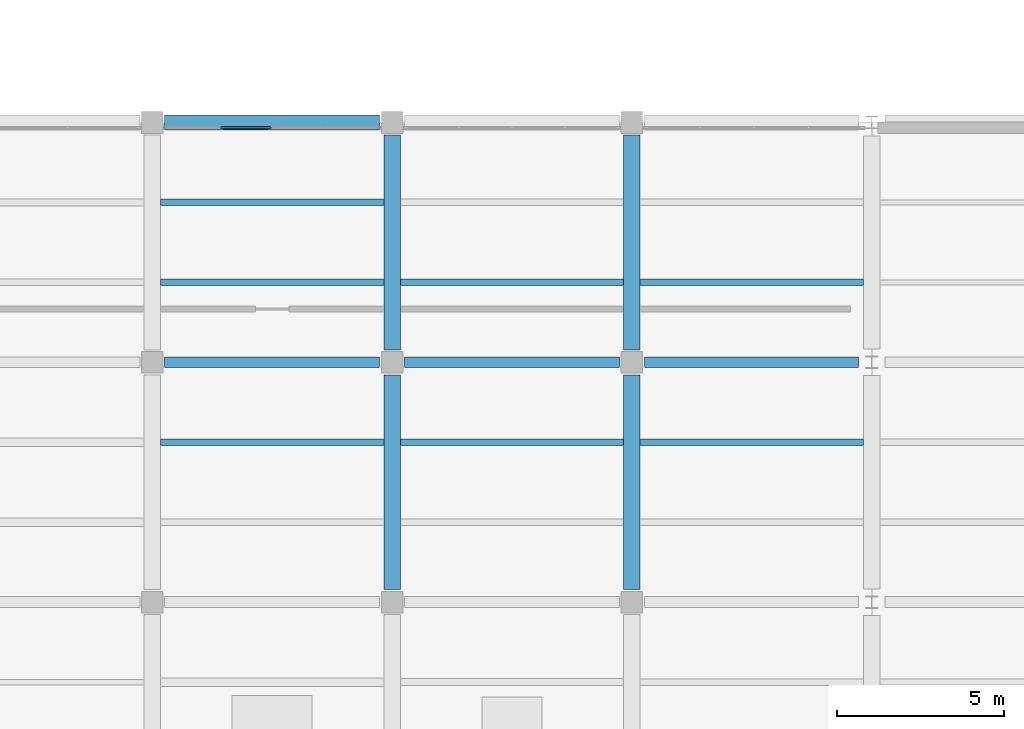
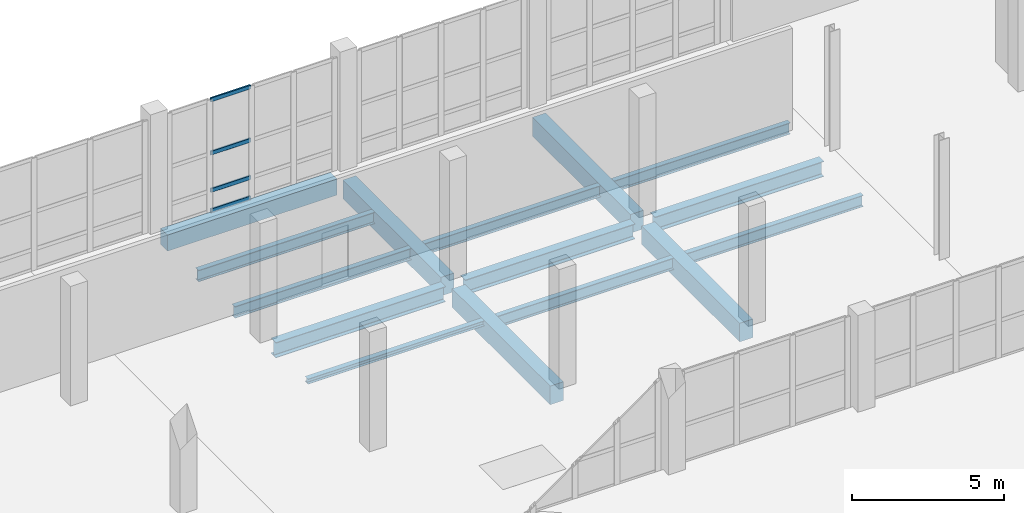
# One storey, part 38 of 127: 15 beams, 4 members, 1 element without a shape of its own.
"""IFC4 building model written with IfcOpenShell, lengths in metres."""

from ifc_helpers import new_model, si_unit, direction, frame, origin, origin_2d, place, context, subcontext, project, spatial, rectangle, hollow_rectangle, i_section, extrude, material, material_profile, profile_set, type_object, element, aggregate, save


model = new_model("IFC4")

# Units and contexts
model_context = context("Model", 3, precision=1e-05, world=origin(), true_north=direction((0.0, 1.0)))
body_context = subcontext(model_context, "Body", "Model", "MODEL_VIEW")
ifc_project = project(units=[si_unit("LENGTHUNIT", "METRE"), si_unit("AREAUNIT", "SQUARE_METRE"), si_unit("VOLUMEUNIT", "CUBIC_METRE"), si_unit("PLANEANGLEUNIT", "RADIAN"), si_unit("MASSUNIT", "GRAM", prefix="KILO")], contexts=[model_context])

# Site, building, storey
site_placement = place(None, origin())
site = spatial("IfcSite", under=ifc_project, at=site_placement, CompositionType="ELEMENT")
building_placement = place(site_placement, origin())
building = spatial("IfcBuilding", under=site, at=building_placement, Name="Kalmorath City Hall", CompositionType="ELEMENT")
storey_placement = place(building_placement, frame((0.0, 0.0, 5.39990234375)))
storey = spatial("IfcBuildingStorey", under=building, at=storey_placement, Name="L01", CompositionType="ELEMENT", Elevation=5.39990234375)

# Beams
ifc_material_1 = material(Name="Concrete C40/50", Category="concrete")
ifc_material_profile_1 = material_profile(ifc_material_1, rectangle(XDim=0.5, YDim=0.75, at=origin_2d()), Name="RC-BM-500X750")
ifc_profile_set_1 = profile_set([ifc_material_profile_1], Name="Concrete C40/50")
beam_type_1 = type_object("IfcBeamType", Name="Concrete floor beam 500x750", PredefinedType="BEAM", material=ifc_profile_set_1)
for number, where, z_axis, x_axis, name in (
    (1, (100.800048828125, 29.175048828125, -0.698974609375), (0.0, 1.0, 0.0), (-1.0, 0.0, 0.0), "L01 girder CB3 Y15/5-6"),
    (2, (100.800048828125, 36.375, -0.698974609375), (0.0, 1.0, 0.0), (-1.0, 0.0, 0.0), "L01 girder CB3 Y15/6-7"),
    (3, (108.0, 29.175048828125, -0.698974609375), (0.0, 1.0, 0.0), (-1.0, 0.0, 0.0), "L01 girder CB3 Y16/5-6"),
    (4, (108.0, 36.375, -0.698974609375), (0.0, 1.0, 0.0), (-1.0, 0.0, 0.0), "L01 girder CB3 Y16/6-7"),
):
    element("IfcBeam", number, at=place(storey_placement, frame(where, z_axis=z_axis, x_axis=x_axis)), inside=storey, type_object=beam_type_1, Name=name, PredefinedType="BEAM", context=body_context, shape_type="SweptSolid", body=[
        extrude(rectangle(XDim=0.5, YDim=0.75, at=origin_2d()), origin(), (0.0, 0.0, 1.0), 6.449951171875),
    ])
ifc_material_2 = material(Name="Concrete C40/50", Category="concrete")
ifc_material_profile_2 = material_profile(ifc_material_2, rectangle(XDim=0.449951171875, YDim=0.64990234375, at=origin_2d()), Name="RC-BM-450X650")
ifc_profile_set_2 = profile_set([ifc_material_profile_2], Name="Concrete C40/50")
beam_type_2 = type_object("IfcBeamType", Name="Concrete spandrel beam 450x650", PredefinedType="SPANDREL", material=ifc_profile_set_2)
beam_1_placement = place(storey_placement, frame((93.97509765625, 43.199951171875, -0.64892578125), z_axis=(1.0, 0.0, 0.0), x_axis=(0.0, 1.0, 0.0)))
element("IfcBeam", 5, at=beam_1_placement, inside=storey, type_object=beam_type_2, Name="L01 girder CB5 X14-15/7", PredefinedType="SPANDREL", context=body_context, shape_type="SweptSolid", body=[
    extrude(rectangle(XDim=0.449951171875, YDim=0.64990234375, at=origin_2d()), origin(), (0.0, 0.0, 1.0), 6.449951171875),
])

# Curtain wall, members
ifc_material_3 = material(Name="Anodised aluminium and laminated glass", Category="aluminium")
curtain_wall_type = type_object("IfcCurtainWallType", Name="Unitised hurricane curtain wall 6370x4520 M1500", PredefinedType="NOTDEFINED", material=ifc_material_3)
curtain_wall_placement = place(storey_placement, origin())
curtain_wall = element("IfcCurtainWall", 6, at=curtain_wall_placement, inside=storey, type_object=curtain_wall_type, Name="L01 curtain wall CW-64X45M15 #90", PredefinedType="NOTDEFINED")
ifc_material_4 = material(Name="Anodised aluminium framing", Category="aluminium")
ifc_material_profile_3 = material_profile(ifc_material_4, hollow_rectangle(XDim=0.06494140625, YDim=0.159912109375, WallThickness=0.00390625, InnerFilletRadius=0.00390625, OuterFilletRadius=0.008056640625, at=origin_2d()), Name="ALU-TRN-160X65X4")
ifc_profile_set_3 = profile_set([ifc_material_profile_3], Name="Anodised aluminium framing")
member_type = type_object("IfcMemberType", Name="Curtain-wall primary transom 160x65", PredefinedType="USERDEFINED", material=ifc_profile_set_3)
member_1_placement = place(storey_placement, frame((95.64501953125, 43.0400390625, 0.03271484375), z_axis=(1.0, 0.0, 0.0), x_axis=(0.0, 1.0, 0.0)))
member_1 = element("IfcMember", 7, at=member_1_placement, type_object=member_type, Name="CW-64X45M15 transom 2.1", ObjectType="TRANSOM", PredefinedType="USERDEFINED", context=body_context, shape_type="SweptSolid", body=[
    extrude(hollow_rectangle(XDim=0.06494140625, YDim=0.159912109375, WallThickness=0.00390625, InnerFilletRadius=0.00390625, OuterFilletRadius=0.008056640625, at=origin_2d()), origin(), (0.0, 0.0, 1.0), 1.517578125),
])
member_2_placement = place(storey_placement, frame((95.64501953125, 43.0400390625, 0.85009765625), z_axis=(1.0, 0.0, 0.0), x_axis=(0.0, 1.0, 0.0)))
member_2 = element("IfcMember", 8, at=member_2_placement, type_object=member_type, Name="CW-64X45M15 transom 2.2", ObjectType="TRANSOM", PredefinedType="USERDEFINED", context=body_context, shape_type="SweptSolid", body=[
    extrude(hollow_rectangle(XDim=0.06494140625, YDim=0.159912109375, WallThickness=0.00390625, InnerFilletRadius=0.00390625, OuterFilletRadius=0.008056640625, at=origin_2d()), origin(), (0.0, 0.0, 1.0), 1.517578125),
])
member_3_placement = place(storey_placement, frame((95.64501953125, 43.0400390625, 2.35009765625), z_axis=(1.0, 0.0, 0.0), x_axis=(0.0, 1.0, 0.0)))
member_3 = element("IfcMember", 9, at=member_3_placement, type_object=member_type, Name="CW-64X45M15 transom 2.3", ObjectType="TRANSOM", PredefinedType="USERDEFINED", context=body_context, shape_type="SweptSolid", body=[
    extrude(hollow_rectangle(XDim=0.06494140625, YDim=0.159912109375, WallThickness=0.00390625, InnerFilletRadius=0.00390625, OuterFilletRadius=0.008056640625, at=origin_2d()), origin(), (0.0, 0.0, 1.0), 1.517578125),
])
member_4_placement = place(storey_placement, frame((95.64501953125, 43.0400390625, 4.487548828125), z_axis=(1.0, 0.0, 0.0), x_axis=(0.0, 1.0, 0.0)))
member_4 = element("IfcMember", 10, at=member_4_placement, type_object=member_type, Name="CW-64X45M15 transom 2.4", ObjectType="TRANSOM", PredefinedType="USERDEFINED", context=body_context, shape_type="SweptSolid", body=[
    extrude(hollow_rectangle(XDim=0.06494140625, YDim=0.159912109375, WallThickness=0.00390625, InnerFilletRadius=0.00390625, OuterFilletRadius=0.008056640625, at=origin_2d()), origin(), (0.0, 0.0, 1.0), 1.517578125),
])
aggregate(curtain_wall, [member_1, member_2, member_3, member_4])

# Beams
ifc_material_5 = material(Name="Steel ASTM A992 Grade 50", Category="steel")
ifc_material_profile_4 = material_profile(ifc_material_5, i_section(OverallWidth=0.19091796875, OverallDepth=0.45703125, WebThickness=0.009033203125, FlangeThickness=0.014404296875, FilletRadius=0.013916015625, at=origin_2d()), Name="W18X50")
ifc_profile_set_4 = profile_set([ifc_material_profile_4], Name="Steel ASTM A992 Grade 50")
beam_type_3 = type_object("IfcBeamType", Name="Steel composite joist W18X50", PredefinedType="JOIST", material=ifc_profile_set_4)
beam_2_placement = place(storey_placement, frame((108.25, 38.39990234375, -0.552490234375), z_axis=(1.0, 0.0, 0.0), x_axis=(0.0, 1.0, 0.0)))
element("IfcBeam", 11, at=beam_2_placement, inside=storey, type_object=beam_type_3, Name="L01 joist SJ3 16.6.1", PredefinedType="JOIST", context=body_context, shape_type="SweptSolid", body=[
    extrude(i_section(OverallWidth=0.19091796875, OverallDepth=0.45703125, WebThickness=0.009033203125, FlangeThickness=0.014404296875, FilletRadius=0.013916015625, at=origin_2d()), origin(), (0.0, 0.0, 1.0), 6.699951171875),
])
ifc_material_6 = material(Name="Steel ASTM A992 Grade 50", Category="steel")
ifc_material_profile_5 = material_profile(ifc_material_6, i_section(OverallWidth=0.19091796875, OverallDepth=0.4599609375, WebThickness=0.010009765625, FlangeThickness=0.01611328125, FilletRadius=0.013916015625, at=origin_2d()), Name="W18X55")
ifc_profile_set_5 = profile_set([ifc_material_profile_5], Name="Steel ASTM A992 Grade 50")
beam_type_4 = type_object("IfcBeamType", Name="Steel composite joist W18X55", PredefinedType="JOIST", material=ifc_profile_set_5)
for number, where, z_axis, x_axis, name in (
    (12, (101.050048828125, 38.39990234375, -0.553955078125), (1.0, 0.0, 0.0), (0.0, 1.0, 0.0), "L01 joist SJ2 15.6.1"),
    (13, (108.25, 33.60009765625, -0.553955078125), (1.0, 0.0, 0.0), (0.0, 1.0, 0.0), "L01 joist SJ2 16.5.2"),
):
    element("IfcBeam", number, at=place(storey_placement, frame(where, z_axis=z_axis, x_axis=x_axis)), inside=storey, type_object=beam_type_4, Name=name, PredefinedType="JOIST", context=body_context, shape_type="SweptSolid", body=[
        extrude(i_section(OverallWidth=0.19091796875, OverallDepth=0.4599609375, WebThickness=0.010009765625, FlangeThickness=0.01611328125, FilletRadius=0.013916015625, at=origin_2d()), origin(), (0.0, 0.0, 1.0), 6.699951171875),
    ])
ifc_material_7 = material(Name="Steel ASTM A992 Grade 50", Category="steel")
ifc_material_profile_6 = material_profile(ifc_material_7, i_section(OverallWidth=0.193115234375, OverallDepth=0.466064453125, WebThickness=0.011474609375, FlangeThickness=0.01904296875, FilletRadius=0.013916015625, at=origin_2d()), Name="W18X65")
ifc_profile_set_6 = profile_set([ifc_material_profile_6], Name="Steel ASTM A992 Grade 50")
beam_type_5 = type_object("IfcBeamType", Name="Steel composite joist W18X65", PredefinedType="JOIST", material=ifc_profile_set_6)
for number, where, z_axis, x_axis, name in (
    (14, (93.85009765625, 38.39990234375, -0.556884765625), (1.0, 0.0, 0.0), (0.0, 1.0, 0.0), "L01 joist SJ1 14.6.1"),
    (15, (93.85009765625, 40.800048828125, -0.556884765625), (1.0, 0.0, 0.0), (0.0, 1.0, 0.0), "L01 joist SJ1 14.6.2"),
    (16, (101.050048828125, 33.60009765625, -0.556884765625), (1.0, 0.0, 0.0), (0.0, 1.0, 0.0), "L01 joist SJ1 15.5.2"),
):
    element("IfcBeam", number, at=place(storey_placement, frame(where, z_axis=z_axis, x_axis=x_axis)), inside=storey, type_object=beam_type_5, Name=name, PredefinedType="JOIST", context=body_context, shape_type="SweptSolid", body=[
        extrude(i_section(OverallWidth=0.193115234375, OverallDepth=0.466064453125, WebThickness=0.011474609375, FlangeThickness=0.01904296875, FilletRadius=0.013916015625, at=origin_2d()), origin(), (0.0, 0.0, 1.0), 6.699951171875),
    ])
ifc_material_8 = material(Name="Steel ASTM A992 Grade 50", Category="steel")
ifc_material_profile_7 = material_profile(ifc_material_8, i_section(OverallWidth=0.202880859375, OverallDepth=0.202880859375, WebThickness=0.007080078125, FlangeThickness=0.010986328125, FilletRadius=0.010986328125, at=origin_2d()), Name="W8X31")
ifc_profile_set_7 = profile_set([ifc_material_profile_7], Name="Steel ASTM A992 Grade 50")
beam_type_6 = type_object("IfcBeamType", Name="Steel edge trimmer W8X31", PredefinedType="LINTEL", material=ifc_profile_set_7)
beam_3_placement = place(storey_placement, frame((93.85009765625, 33.60009765625, -0.42529296875), z_axis=(1.0, 0.0, 0.0), x_axis=(0.0, 1.0, 0.0)))
element("IfcBeam", 17, at=beam_3_placement, inside=storey, type_object=beam_type_6, Name="L01 joist SJ16 14.5.2", PredefinedType="LINTEL", context=body_context, shape_type="SweptSolid", body=[
    extrude(i_section(OverallWidth=0.202880859375, OverallDepth=0.202880859375, WebThickness=0.007080078125, FlangeThickness=0.010986328125, FilletRadius=0.010986328125, at=origin_2d()), origin(), (0.0, 0.0, 1.0), 6.699951171875),
])
ifc_material_9 = material(Name="Steel ASTM A992 Grade 50", Category="steel")
ifc_material_profile_8 = material_profile(ifc_material_9, i_section(OverallWidth=0.323974609375, OverallDepth=0.611083984375, WebThickness=0.0126953125, FlangeThickness=0.01904296875, FilletRadius=0.01611328125, at=origin_2d()), Name="W24X104")
ifc_profile_set_8 = profile_set([ifc_material_profile_8], Name="Steel ASTM A992 Grade 50")
beam_type_7 = type_object("IfcBeamType", Name="Steel floor girder W24X104", PredefinedType="BEAM", material=ifc_profile_set_8)
for number, where, z_axis, x_axis, name in (
    (18, (93.97509765625, 36.0, -0.62939453125), (1.0, 0.0, 0.0), (0.0, 1.0, 0.0), "L01 girder SG7 X14-15/6"),
    (19, (101.175048828125, 36.0, -0.62939453125), (1.0, 0.0, 0.0), (0.0, 1.0, 0.0), "L01 girder SG7 X15-16/6"),
):
    element("IfcBeam", number, at=place(storey_placement, frame(where, z_axis=z_axis, x_axis=x_axis)), inside=storey, type_object=beam_type_7, Name=name, PredefinedType="BEAM", context=body_context, shape_type="SweptSolid", body=[
        extrude(i_section(OverallWidth=0.323974609375, OverallDepth=0.611083984375, WebThickness=0.0126953125, FlangeThickness=0.01904296875, FilletRadius=0.01611328125, at=origin_2d()), origin(), (0.0, 0.0, 1.0), 6.449951171875),
    ])
beam_4_placement = place(storey_placement, frame((108.375, 36.0, -0.62939453125), z_axis=(1.0, 0.0, 0.0), x_axis=(0.0, 1.0, 0.0)))
element("IfcBeam", 20, at=beam_4_placement, inside=storey, type_object=beam_type_7, Name="L01 girder SG7 X16-17/6", PredefinedType="BEAM", context=body_context, shape_type="SweptSolid", body=[
    extrude(i_section(OverallWidth=0.323974609375, OverallDepth=0.611083984375, WebThickness=0.0126953125, FlangeThickness=0.01904296875, FilletRadius=0.01611328125, at=origin_2d()), origin(), (0.0, 0.0, 1.0), 6.425048828125),
])

save(model, "model.ifc")
